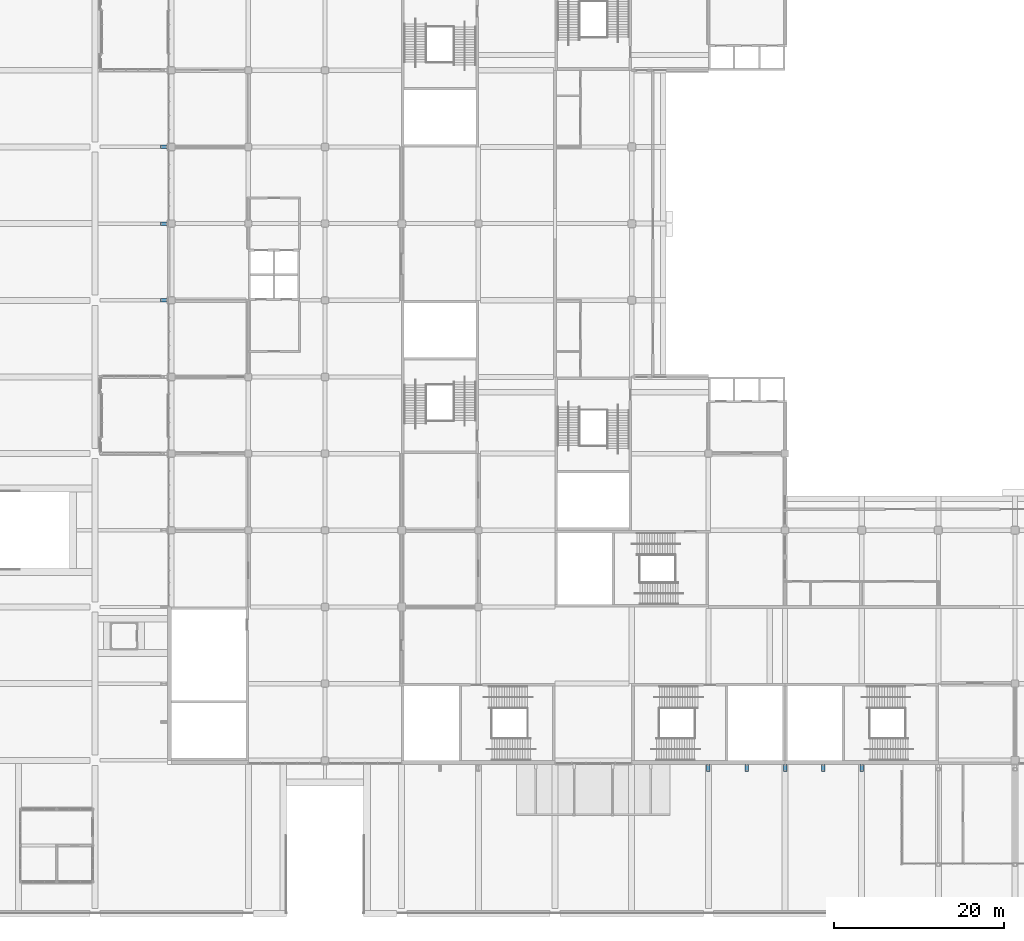
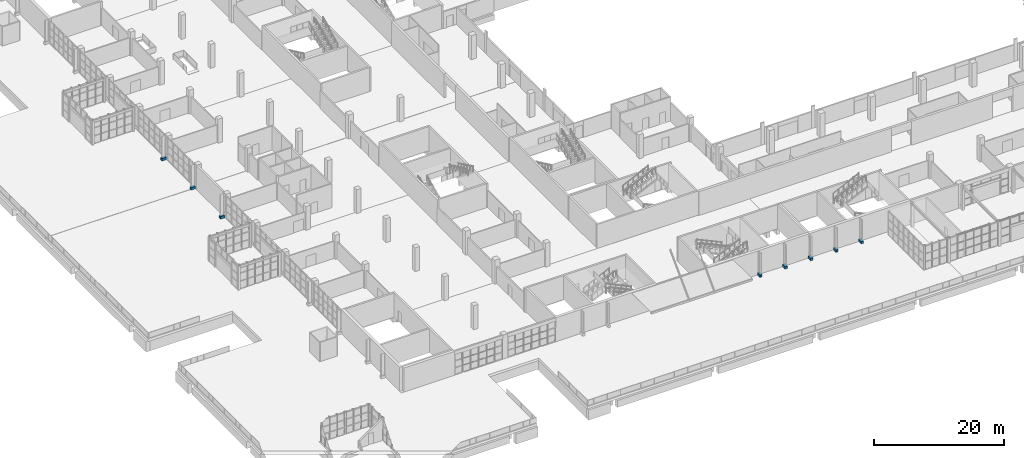
# One storey, part 114 of 168: 8 discrete accessories.
"""IFC4 building model written with IfcOpenShell, lengths in metres."""

from ifc_helpers import new_model, si_unit, direction, frame, origin, origin_2d, place, context, subcontext, project, spatial, rectangle, extrude, material, type_object, element, save


model = new_model("IFC4")

# Units and contexts
model_context = context("Model", 3, precision=1e-05, world=origin(), true_north=direction((0.0, 1.0)))
body_context = subcontext(model_context, "Body", "Model", "MODEL_VIEW")
ifc_project = project(units=[si_unit("LENGTHUNIT", "METRE"), si_unit("AREAUNIT", "SQUARE_METRE"), si_unit("VOLUMEUNIT", "CUBIC_METRE"), si_unit("PLANEANGLEUNIT", "RADIAN"), si_unit("MASSUNIT", "GRAM", prefix="KILO")], contexts=[model_context])

# Site, building, storey
site_placement = place(None, origin())
site = spatial("IfcSite", under=ifc_project, at=site_placement, CompositionType="ELEMENT")
building_placement = place(site_placement, origin())
building = spatial("IfcBuilding", under=site, at=building_placement, Name="Silverbay Arena", CompositionType="ELEMENT")
storey_placement = place(building_placement, frame((0.0, 0.0, 7.0)))
storey = spatial("IfcBuildingStorey", under=building, at=storey_placement, Name="L01", CompositionType="ELEMENT", Elevation=7.0)

# Discrete accessories
ifc_material = material(Name="Steel S355", Category="steel")
discrete_accessory_type = type_object("IfcDiscreteAccessoryType", Name="Steel bracket plate", PredefinedType="BRACKET", material=ifc_material)
for number, where, z_axis, x_axis, name in (
    (1, (90.0, 17.0986328125, 0.0), (0.0, 0.0, 1.0), (1.0, 0.0, 0.0), "Fin base shoe"),
    (2, (94.5, 17.0986328125, 0.0), (0.0, 0.0, 1.0), (1.0, 0.0, 0.0), "Fin base shoe"),
    (3, (99.0, 17.0986328125, 0.0), (0.0, 0.0, 1.0), (1.0, 0.0, 0.0), "Fin base shoe"),
    (4, (103.5, 17.0986328125, 0.0), (0.0, 0.0, 1.0), (1.0, 0.0, 0.0), "Fin base shoe"),
    (5, (108.0, 17.0986328125, 0.0), (0.0, 0.0, 1.0), (1.0, 0.0, 0.0), "Fin base shoe"),
):
    element("IfcDiscreteAccessory", number, at=place(storey_placement, frame(where, z_axis=z_axis, x_axis=x_axis)), inside=storey, type_object=discrete_accessory_type, Name=name, PredefinedType="BRACKET", context=body_context, shape_type="SweptSolid", body=[
        extrude(rectangle(XDim=0.39990234375, YDim=0.802490234375, at=origin_2d()), origin(), (0.0, 0.0, 1.0), 0.449951171875),
    ])
for number, where, z_axis, x_axis, name in (
    (6, (26.0986328125, 72.0, 0.0), (0.0, 0.0, 1.0), (1.0, 0.0, 0.0), "Fin base shoe"),
    (7, (26.0986328125, 81.0, 0.0), (0.0, 0.0, 1.0), (1.0, 0.0, 0.0), "Fin base shoe"),
    (8, (26.0986328125, 90.0, 0.0), (0.0, 0.0, 1.0), (1.0, 0.0, 0.0), "Fin base shoe"),
):
    element("IfcDiscreteAccessory", number, at=place(storey_placement, frame(where, z_axis=z_axis, x_axis=x_axis)), inside=storey, type_object=discrete_accessory_type, Name=name, PredefinedType="BRACKET", context=body_context, shape_type="SweptSolid", body=[
        extrude(rectangle(XDim=0.802490234375, YDim=0.39990234375, at=origin_2d()), origin(), (0.0, 0.0, 1.0), 0.449951171875),
    ])

save(model, "model.ifc")
